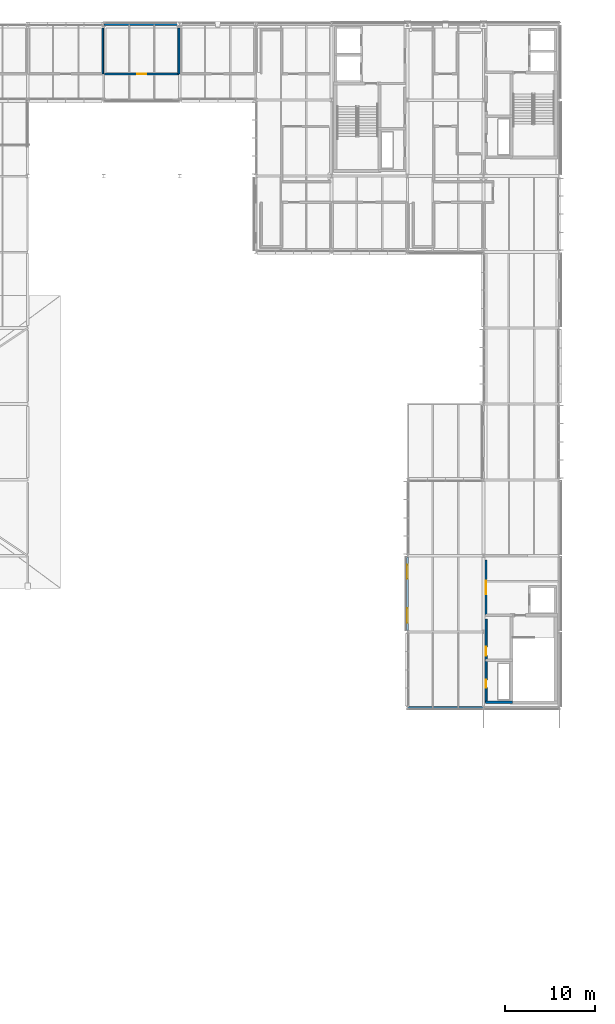
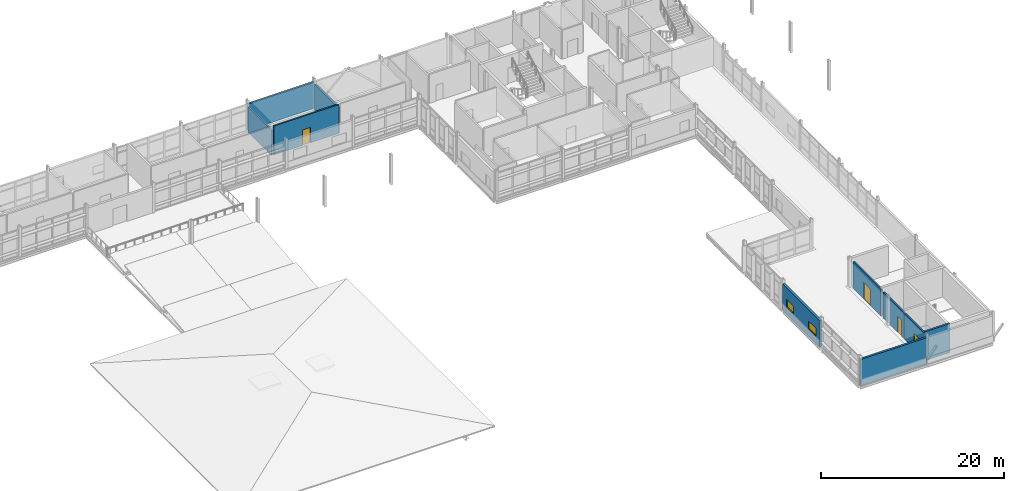
# One storey, part 53 of 66: 10 walls, 4 doors, 2 windows, 6 openings.
"""IFC4 building model written with IfcOpenShell, lengths in metres."""

import ifcopenshell
import ifcopenshell.guid

model = None  # the IFC model being written
_history = None  # IfcOwnerHistory: only IFC2X3 demands one
_inside = {}  # id of a spatial element -> (the spatial element, [elements in it])
_under = {}  # id of a project, library or spatial element -> (it, [spatial elements below it])
_declared = {}  # id of a project -> (the project, [libraries it declares])
_typed = {}  # id of a type object -> (the type object, [elements of that type])
_made_of = {}  # id of a material, layer set ... -> (it, [elements and type objects made of it])


def new_model(schema):
    """Start an empty IFC model of exactly this schema.

    Asked for "IFC4X3", IfcOpenShell would pick the latest addendum, in which some entities
    have other attributes; the version numbers below select the first issue.
    IFC2X3 requires an IfcOwnerHistory on every rooted entity: one is made here for all.
    """
    global model, _history
    if schema == "IFC4X3":
        model = ifcopenshell.file(schema_version=(4, 3, 0, 0))
    else:
        model = ifcopenshell.file(schema=schema)
    _inside.clear()
    _under.clear()
    _declared.clear()
    _typed.clear()
    _made_of.clear()
    _history = None
    if model.schema == "IFC2X3":
        org = make("IfcOrganization", Name="unknown")
        user = make(
            "IfcPersonAndOrganization",
            ThePerson=make("IfcPerson", FamilyName="unknown"),
            TheOrganization=org,
        )
        app = make(
            "IfcApplication",
            ApplicationDeveloper=org,
            Version="unknown",
            ApplicationFullName="unknown",
            ApplicationIdentifier="unknown",
        )
        _history = make(
            "IfcOwnerHistory",
            OwningUser=user,
            OwningApplication=app,
            ChangeAction="ADDED",
            CreationDate=0,
        )
    return model


def make(cls, **values):
    """One entity of the class cls with the attributes given. An attribute that is None is left unset."""
    return model.create_entity(
        cls, **{name: value for name, value in values.items() if value is not None}
    )


def rooted(cls, **values):
    """An entity with a GlobalId (a new one), such as an element, a storey or a relation."""
    return make(cls, GlobalId=ifcopenshell.guid.new(), OwnerHistory=_history, **values)


def si_unit(unit_type, name, prefix=None):
    """IfcSIUnit, for example si_unit("LENGTHUNIT", "METRE", prefix="MILLI")."""
    return make("IfcSIUnit", UnitType=unit_type, Prefix=prefix, Name=name)


def assignment(units):
    """IfcUnitAssignment: the units of a project."""
    return None if units is None else make("IfcUnitAssignment", Units=units)


def point(xyz):
    """IfcCartesianPoint."""
    return None if xyz is None else make("IfcCartesianPoint", Coordinates=xyz)


def direction(xyz):
    """IfcDirection."""
    return None if xyz is None else make("IfcDirection", DirectionRatios=xyz)


def frame(location, z_axis=None, x_axis=None):
    """IfcAxis2Placement3D, a coordinate frame: its origin and axes. An axis left out is left unset."""
    return make(
        "IfcAxis2Placement3D",
        Location=point(location),
        Axis=direction(z_axis),
        RefDirection=direction(x_axis),
    )


def frame_2d(location, x_axis=None):
    """IfcAxis2Placement2D, a coordinate frame in the plane: its origin and x axis."""
    return make(
        "IfcAxis2Placement2D", Location=point(location), RefDirection=direction(x_axis)
    )


def origin():
    """The frame at (0, 0, 0) with its axes left unset."""
    return frame((0.0, 0.0, 0.0))


def place(relative_to, where):
    """IfcLocalPlacement: puts the frame where relative to a parent placement (None: the world)."""
    return make(
        "IfcLocalPlacement", PlacementRelTo=relative_to, RelativePlacement=where
    )


def context(
    kind, dimensions, precision=None, world=None, true_north=None, identifier=None
):
    """IfcGeometricRepresentationContext, for example the 3D "Model" context."""
    return make(
        "IfcGeometricRepresentationContext",
        ContextIdentifier=identifier,
        ContextType=kind,
        CoordinateSpaceDimension=dimensions,
        Precision=precision,
        WorldCoordinateSystem=world,
        TrueNorth=true_north,
    )


def subcontext(parent, identifier, kind, view, scale=None):
    """IfcGeometricRepresentationSubContext, for example "Body" below "Model"."""
    return make(
        "IfcGeometricRepresentationSubContext",
        ContextIdentifier=identifier,
        ContextType=kind,
        ParentContext=parent,
        TargetScale=scale,
        TargetView=view,
    )


def project(units=None, contexts=None):
    """IfcProject with its units and contexts."""
    return rooted(
        "IfcProject",
        Name="project",
        RepresentationContexts=contexts,
        UnitsInContext=assignment(units),
    )


def spatial(cls, under=None, at=None, **own):
    """A site, building, storey or space (cls), placed at a placement, below another one or the project."""
    s = rooted(cls, ObjectPlacement=at, **own)
    if under is not None:
        _under.setdefault(under.id(), (under, []))[1].append(s)
    return s


def profile(cls, at=None, kind="AREA", **sizes):
    """A parametric profile (cls). Its sizes go by their IFC names, for example OverallWidth=200.0."""
    return make(cls, ProfileType=kind, Position=at, **sizes)


def rectangle(**sizes):
    """IfcRectangleProfileDef."""
    return profile("IfcRectangleProfileDef", **sizes)


def extrude(swept, where, along, depth):
    """IfcExtrudedAreaSolid: the profile swept, set in the frame where, extruded along a direction by depth."""
    return make(
        "IfcExtrudedAreaSolid",
        SweptArea=swept,
        Position=where,
        ExtrudedDirection=direction(along),
        Depth=depth,
    )


def shape(context_of_items, identifier, shape_type, items):
    """IfcShapeRepresentation: the items that make up one representation, for example the "Body"."""
    return make(
        "IfcShapeRepresentation",
        ContextOfItems=context_of_items,
        RepresentationIdentifier=identifier,
        RepresentationType=shape_type,
        Items=items,
    )


def material(Name=None, Category=None):
    """IfcMaterial."""
    return make("IfcMaterial", Name=Name, Category=Category)


def layer(
    of_material, thickness, ventilated=None, Name=None, Category=None, Priority=None
):
    """IfcMaterialLayer: one layer of a wall or slab, of a material (None: an air gap)."""
    return make(
        "IfcMaterialLayer",
        Material=of_material,
        LayerThickness=thickness,
        IsVentilated=ventilated,
        Name=Name,
        Category=Category,
        Priority=Priority,
    )


def layer_set(layers, Name=None):
    """IfcMaterialLayerSet."""
    return make("IfcMaterialLayerSet", MaterialLayers=layers, LayerSetName=Name)


def made_of(thing, what):
    """Note that an element or type object is made of a material, layer set ...; save() writes the relation."""
    if what is not None:
        _made_of.setdefault(what.id(), (what, []))[1].append(thing)
    return thing


def type_object(cls, material=None, **own):
    """A type object (cls), such as IfcWallType, which elements share."""
    return made_of(rooted(cls, **own), material)


def element(
    cls,
    number,
    at=None,
    inside=None,
    cuts=None,
    type_object=None,
    material=None,
    context=None,
    identifier="Body",
    shape_type=None,
    held_by="IfcProductDefinitionShape",
    body=None,
    shapes=None,
    **own,
):
    """One element of the class cls, such as IfcWall. Its Tag is "e" and its number.

    at: its placement. inside: the storey or other place that contains it. cuts: it is an
    opening in that element (IfcRelVoidsElement). A single representation is given by context,
    identifier, shape_type and body (its items); several are given by shapes. held_by: the class
    of the entity that holds the representations. save() writes the other relations.
    """
    e = rooted(cls, Tag="e%d" % number, ObjectPlacement=at, **own)
    if body is not None:
        shapes = [shape(context, identifier, shape_type, body)]
    if shapes is not None:
        e.Representation = make(held_by, Representations=shapes)
    if inside is not None:
        _inside.setdefault(inside.id(), (inside, []))[1].append(e)
    if cuts is not None:
        rooted(
            "IfcRelVoidsElement", RelatingBuildingElement=cuts, RelatedOpeningElement=e
        )
    if type_object is not None:
        _typed.setdefault(type_object.id(), (type_object, []))[1].append(e)
    return made_of(e, material)


def fill(opening, filler):
    """IfcRelFillsElement: the door or window that sits in an opening."""
    return rooted(
        "IfcRelFillsElement",
        RelatingOpeningElement=opening,
        RelatedBuildingElement=filler,
    )


def aggregate(whole, parts):
    """IfcRelAggregates: a whole, such as a stair, and the parts it consists of."""
    return rooted("IfcRelAggregates", RelatingObject=whole, RelatedObjects=parts)


def save(model, path):
    """Write the relations noted so far, then the file.

    IfcRelAggregates (storeys below a building ...), IfcRelContainedInSpatialStructure (elements
    in a storey), IfcRelDefinesByType, IfcRelAssociatesMaterial and IfcRelDeclares: one each for
    every whole, place, type object, material and project.
    """
    for whole, parts in _under.values():
        aggregate(whole, parts)
    for where, things in _inside.values():
        rooted(
            "IfcRelContainedInSpatialStructure",
            RelatedElements=things,
            RelatingStructure=where,
        )
    for kind, things in _typed.values():
        rooted("IfcRelDefinesByType", RelatedObjects=things, RelatingType=kind)
    for what, things in _made_of.values():
        rooted("IfcRelAssociatesMaterial", RelatedObjects=things, RelatingMaterial=what)
    for by, libraries in _declared.values():
        rooted("IfcRelDeclares", RelatingContext=by, RelatedDefinitions=libraries)
    model.write(path)


model = new_model("IFC4")

# Units and contexts
model_context = context("Model", 3, precision=1e-05, world=origin(), true_north=direction((0.0, 1.0)))
body_context = subcontext(model_context, "Body", "Model", "MODEL_VIEW")
ifc_project = project(units=[si_unit("LENGTHUNIT", "METRE"), si_unit("AREAUNIT", "SQUARE_METRE"), si_unit("VOLUMEUNIT", "CUBIC_METRE"), si_unit("PLANEANGLEUNIT", "RADIAN"), si_unit("MASSUNIT", "GRAM", prefix="KILO")], contexts=[model_context])

# Site, building, storey
site_placement = place(None, origin())
site = spatial("IfcSite", under=ifc_project, at=site_placement, CompositionType="ELEMENT")
building_placement = place(site_placement, origin())
building = spatial("IfcBuilding", under=site, at=building_placement, Name="Mersafa Astral City Hall", CompositionType="ELEMENT")
storey_placement = place(building_placement, frame((0.0, 0.0, 22.050048828125)))
storey = spatial("IfcBuildingStorey", under=building, at=storey_placement, Name="L05", CompositionType="ELEMENT", Elevation=22.050048828125)

# Walls
ifc_material_1 = material(Name="Precast concrete C40/50 insulated terracotta spandrel", Category="masonry")
ifc_layer_1 = layer(ifc_material_1, 0.235107421875, Name="Precast concrete C40/50 insulated terracotta spandrel")
ifc_layer_set_1 = layer_set([ifc_layer_1], Name="Precast concrete C40/50 insulated terracotta spandrel — ENV-WAL-EXT-235")
wall_type_1 = type_object("IfcWallType", Name="ENV-WAL-EXT-235", PredefinedType="STANDARD", material=ifc_layer_set_1)
wall_1_placement = place(storey_placement, frame((134.39208984375, 126.0, 0.0), z_axis=(0.0, 0.0, 1.0), x_axis=(-1.0, 0.0, 0.0)))
element("IfcWall", 1, at=wall_1_placement, inside=storey, type_object=wall_type_1, Name="L05 Limestone-clad exterior wall 347", PredefinedType="STANDARD", context=body_context, shape_type="SweptSolid", body=[
    extrude(rectangle(XDim=8.384033203125, YDim=0.235107421875, at=frame_2d((4.19189453125, 0.0))), origin(), (0.0, 0.0, 1.0), 3.4970703125),
])
ifc_layer_2 = layer(ifc_material_1, 0.25, Name="Precast concrete C40/50 insulated terracotta spandrel")
ifc_layer_set_2 = layer_set([ifc_layer_2], Name="Precast concrete C40/50 insulated terracotta spandrel — ENV-WAL-EXT-250")
wall_type_2 = type_object("IfcWallType", Name="ENV-WAL-EXT-250", PredefinedType="STANDARD", material=ifc_layer_set_2)
wall_2_placement = place(storey_placement, frame((159.60791015625, 50.39990234375, 0.0), z_axis=(0.0, 0.0, 1.0), x_axis=(1.0, 0.0, 0.0)))
element("IfcWall", 2, at=wall_2_placement, inside=storey, type_object=wall_type_2, Name="L05 Limestone-clad exterior wall 334", PredefinedType="STANDARD", context=body_context, shape_type="SweptSolid", body=[
    extrude(rectangle(XDim=8.384033203125, YDim=0.25, at=frame_2d((4.19189453125, 0.0))), origin(), (0.0, 0.0, 1.0), 3.501953125),
])

# Wall, openings, windows
ifc_material_2 = material(Name="Precast concrete C40/50 insulated limestone wall", Category="masonry")
ifc_layer_3 = layer(ifc_material_2, 0.264892578125, Name="Precast concrete C40/50 insulated limestone wall")
ifc_layer_set_3 = layer_set([ifc_layer_3], Name="Precast concrete C40/50 insulated limestone wall — ENV-WAL-EXT-265")
wall_type_3 = type_object("IfcWallType", Name="ENV-WAL-EXT-265", PredefinedType="STANDARD", material=ifc_layer_set_3)
wall_3_placement = place(storey_placement, frame((159.60009765625, 67.053955078125, 0.0), z_axis=(0.0, 0.0, 1.0), x_axis=(0.0, -1.0, 0.0)))
wall_3 = element("IfcWall", 3, at=wall_3_placement, inside=storey, type_object=wall_type_3, Name="L05 Limestone-clad exterior wall 333", PredefinedType="STANDARD", context=body_context, shape_type="SweptSolid", body=[
    extrude(rectangle(XDim=8.10791015625, YDim=0.264892578125, at=frame_2d((4.053955078125, 0.0))), origin(), (0.0, 0.0, 1.0), 3.471923828125),
])
opening_1_placement = place(wall_3_placement, frame((0.85009765625, 0.0, 0.89990234375)))
opening_1 = element("IfcOpeningElement", 4, at=opening_1_placement, cuts=wall_3, Name="Opening W-06", PredefinedType="OPENING", context=body_context, shape_type="SweptSolid", body=[
    extrude(rectangle(XDim=1.52001953125, YDim=1.050048828125, at=frame_2d((0.760009765625, 0.52490234375))), frame((0.0, 0.142333984375, 0.0), z_axis=(0.0, -1.0, 0.0), x_axis=(1.0, 0.0, 0.0)), (0.0, 0.0, 1.0), 0.284912109375),
])
opening_2_placement = place(wall_3_placement, frame((5.637939453125, 0.0, 0.89990234375)))
opening_2 = element("IfcOpeningElement", 5, at=opening_2_placement, cuts=wall_3, Name="Opening W-07", PredefinedType="OPENING", context=body_context, shape_type="SweptSolid", body=[
    extrude(rectangle(XDim=1.6201171875, YDim=1.050048828125, at=frame_2d((0.81005859375, 0.52490234375))), frame((0.0, 0.142333984375, 0.0), z_axis=(0.0, -1.0, 0.0), x_axis=(1.0, 0.0, 0.0)), (0.0, 0.0, 1.0), 0.284912109375),
])
ifc_material_3 = material(Name="Solar control low-e double glazing in bronze frame", Category="glass")
window_type_1 = type_object("IfcWindowType", Name="ENV-WIN-W-06", PartitioningType="SINGLE_PANEL", PredefinedType="WINDOW", material=ifc_material_3)
window_1_placement = place(opening_1_placement, origin())
window_1 = element("IfcWindow", 6, at=window_1_placement, inside=storey, type_object=window_type_1, Name="L05 Solar punched window 333-L", OverallHeight=1.050048828125, OverallWidth=1.52001953125, PartitioningType="SINGLE_PANEL", PredefinedType="WINDOW", context=body_context, shape_type="SweptSolid", body=[
    extrude(rectangle(XDim=1.52001953125, YDim=1.050048828125, at=frame_2d((0.760009765625, 0.52490234375))), frame((0.0, 0.030029296875, 0.0), z_axis=(0.0, -1.0, 0.0), x_axis=(1.0, 0.0, 0.0)), (0.0, 0.0, 1.0), 0.06005859375),
])
fill(opening_1, window_1)
window_type_2 = type_object("IfcWindowType", Name="ENV-WIN-W-07", PartitioningType="SINGLE_PANEL", PredefinedType="WINDOW", material=ifc_material_3)
window_2_placement = place(opening_2_placement, origin())
window_2 = element("IfcWindow", 7, at=window_2_placement, inside=storey, type_object=window_type_2, Name="L05 Solar punched window 333-R", OverallHeight=1.050048828125, OverallWidth=1.6201171875, PartitioningType="SINGLE_PANEL", PredefinedType="WINDOW", context=body_context, shape_type="SweptSolid", body=[
    extrude(rectangle(XDim=1.6201171875, YDim=1.050048828125, at=frame_2d((0.81005859375, 0.52490234375))), frame((0.0, 0.030029296875, 0.0), z_axis=(0.0, -1.0, 0.0), x_axis=(1.0, 0.0, 0.0)), (0.0, 0.0, 1.0), 0.06005859375),
])
fill(opening_2, window_2)

# Walls
ifc_material_4 = material(Name="Concrete C40/50", Category="concrete")
ifc_layer_4 = layer(ifc_material_4, 0.260009765625, Name="Concrete C40/50")
ifc_layer_set_4 = layer_set([ifc_layer_4], Name="Concrete C40/50 — INT-WAL-CORE-260")
wall_type_4 = type_object("IfcWallType", Name="INT-WAL-CORE-260", PredefinedType="SHEAR", material=ifc_layer_set_4)
wall_4_placement = place(storey_placement, frame((168.199951171875, 51.02001953125, 0.0), z_axis=(0.0, 0.0, 1.0), x_axis=(1.0, 0.0, 0.0)))
element("IfcWall", 8, at=wall_4_placement, inside=storey, type_object=wall_type_4, Name="L05 Core K4 riser south wall", PredefinedType="SHEAR", context=body_context, shape_type="SweptSolid", body=[
    extrude(rectangle(XDim=3.03515625, YDim=0.260009765625, at=frame_2d((1.517578125, 0.0))), origin(), (0.0, 0.0, 1.0), 3.849853515625),
])
ifc_material_5 = material(Name="Acoustic twin-stud gypsum partition", Category="gypsum")
ifc_layer_5 = layer(ifc_material_5, 0.179931640625, Name="Acoustic twin-stud gypsum partition")
ifc_layer_set_5 = layer_set([ifc_layer_5], Name="Acoustic twin-stud gypsum partition — INT-WAL-PART-EI60-180")
wall_type_5 = type_object("IfcWallType", Name="INT-WAL-PART-EI60-180", PredefinedType="STANDARD", material=ifc_layer_set_5)
wall_5_placement = place(storey_placement, frame((125.909912109375, 125.580078125, -0.004150390625), z_axis=(0.0, 0.0, 1.0), x_axis=(0.0, -1.0, 0.0)))
element("IfcWall", 9, at=wall_5_placement, inside=storey, type_object=wall_type_5, Name="L05 Interior partition wall 754", PredefinedType="STANDARD", context=body_context, shape_type="SweptSolid", body=[
    extrude(rectangle(XDim=5.080078125, YDim=0.179931640625, at=frame_2d((2.5400390625, 0.0))), origin(), (0.0, 0.0, 1.0), 3.37109375),
])

# Wall, opening, door
ifc_layer_6 = layer(ifc_material_5, 0.195068359375, Name="Acoustic twin-stud gypsum partition")
ifc_layer_set_6 = layer_set([ifc_layer_6], Name="Acoustic twin-stud gypsum partition — INT-WAL-PART-EI60-195")
wall_type_6 = type_object("IfcWallType", Name="INT-WAL-PART-EI60-195", PredefinedType="STANDARD", material=ifc_layer_set_6)
wall_6_placement = place(storey_placement, frame((134.31005859375, 120.5, -0.004150390625), z_axis=(0.0, 0.0, 1.0), x_axis=(-1.0, 0.0, 0.0)))
wall_6 = element("IfcWall", 10, at=wall_6_placement, inside=storey, type_object=wall_type_6, Name="L05 Interior partition wall 757", PredefinedType="STANDARD", context=body_context, shape_type="SweptSolid", body=[
    extrude(rectangle(XDim=8.219970703125, YDim=0.195068359375, at=frame_2d((4.10986328125, 0.0))), origin(), (0.0, 0.0, 1.0), 3.85400390625),
])
opening_3_placement = place(wall_6_placement, frame((3.590087890625, 0.0, 0.0)))
opening_3 = element("IfcOpeningElement", 11, at=opening_3_placement, cuts=wall_6, Name="Opening D-03", PredefinedType="OPENING", context=body_context, shape_type="SweptSolid", body=[
    extrude(rectangle(XDim=1.0400390625, YDim=2.06005859375, at=frame_2d((0.52001953125, 1.030029296875))), frame((0.0, 0.107421875, 0.0), z_axis=(0.0, -1.0, 0.0), x_axis=(1.0, 0.0, 0.0)), (0.0, 0.0, 1.0), 0.215087890625),
])
ifc_material_6 = material(Name="Cedar veneered acoustic fire-rated timber door", Category="wood")
door_type_1 = type_object("IfcDoorType", Name="INT-DR-RM-D-03", OperationType="NOTDEFINED", PredefinedType="DOOR", material=ifc_material_6)
door_1_placement = place(opening_3_placement, origin())
door_1 = element("IfcDoor", 12, at=door_1_placement, inside=storey, type_object=door_type_1, Name="L05 Executive Secretariat Office L05-08 Entrance Door", OperationType="SINGLE_SWING_LEFT", OverallHeight=2.06005859375, OverallWidth=1.0400390625, PredefinedType="DOOR", context=body_context, shape_type="SweptSolid", body=[
    extrude(rectangle(XDim=1.0400390625, YDim=2.06005859375, at=frame_2d((0.52001953125, 1.030029296875))), frame((0.0, 0.02490234375, 0.0), z_axis=(0.0, -1.0, 0.0), x_axis=(1.0, 0.0, 0.0)), (0.0, 0.0, 1.0), 0.050048828125),
])
fill(opening_3, door_1)

ifc_material_7 = material(Name="Autoclaved aerated concrete blockwork plastered", Category="masonry")
ifc_layer_7 = layer(ifc_material_7, 0.2099609375, Name="Autoclaved aerated concrete blockwork plastered")
ifc_layer_set_7 = layer_set([ifc_layer_7], Name="Autoclaved aerated concrete blockwork plastered — INT-WAL-PART-EI60-210")
wall_type_7 = type_object("IfcWallType", Name="INT-WAL-PART-EI60-210", PredefinedType="STANDARD", material=ifc_layer_set_7)
wall_7_placement = place(storey_placement, frame((168.300048828125, 51.02001953125, 0.0), z_axis=(0.0, 0.0, 1.0), x_axis=(0.0, 1.0, 0.0)))
wall_7 = element("IfcWall", 13, at=wall_7_placement, inside=storey, type_object=wall_type_7, Name="L05 Core K4 riser corridor partition", PredefinedType="STANDARD", context=body_context, shape_type="SweptSolid", body=[
    extrude(rectangle(XDim=4.590087890625, YDim=0.2099609375, at=frame_2d((2.294921875, 0.0))), origin(), (0.0, 0.0, 1.0), 3.471923828125),
])
opening_4_placement = place(wall_7_placement, frame((1.60009765625, 0.0, 0.0)))
opening_4 = element("IfcOpeningElement", 14, at=opening_4_placement, cuts=wall_7, Name="Opening CD-5", PredefinedType="OPENING", context=body_context, shape_type="SweptSolid", body=[
    extrude(rectangle(XDim=0.89990234375, YDim=2.10009765625, at=frame_2d((0.449951171875, 1.050048828125))), frame((0.0, 0.114990234375, 0.0), z_axis=(0.0, -1.0, 0.0), x_axis=(1.0, 0.0, 0.0)), (0.0, 0.0, 1.0), 0.22998046875),
])
ifc_material_8 = material(Name="Fire-rated steel riser access door", Category="steel")
door_type_2 = type_object("IfcDoorType", Name="INT-DR-RISER-FD60-900", OperationType="NOTDEFINED", PredefinedType="DOOR", material=ifc_material_8)
door_2_placement = place(opening_4_placement, origin())
door_2 = element("IfcDoor", 15, at=door_2_placement, inside=storey, type_object=door_type_2, Name="L05 K4 MEP Riser Access Door", OperationType="SINGLE_SWING_LEFT", OverallHeight=2.10009765625, OverallWidth=0.89990234375, PredefinedType="DOOR", context=body_context, shape_type="SweptSolid", body=[
    extrude(rectangle(XDim=0.89990234375, YDim=2.10009765625, at=frame_2d((0.449951171875, 1.050048828125))), frame((0.0, 0.02490234375, 0.0), z_axis=(0.0, -1.0, 0.0), x_axis=(1.0, 0.0, 0.0)), (0.0, 0.0, 1.0), 0.050048828125),
])
fill(opening_4, door_2)

wall_8_placement = place(storey_placement, frame((168.300048828125, 55.719970703125, 0.0), z_axis=(0.0, 0.0, 1.0), x_axis=(0.0, 1.0, 0.0)))
wall_8 = element("IfcWall", 16, at=wall_8_placement, inside=storey, type_object=wall_type_7, Name="L05 Core K4 accessible WC corridor partition", PredefinedType="STANDARD", context=body_context, shape_type="SweptSolid", body=[
    extrude(rectangle(XDim=4.47998046875, YDim=0.2099609375, at=frame_2d((2.239990234375, 0.0))), origin(), (0.0, 0.0, 1.0), 3.471923828125),
])
opening_5_placement = place(wall_8_placement, frame((0.449951171875, 0.0, 0.0)))
opening_5 = element("IfcOpeningElement", 17, at=opening_5_placement, cuts=wall_8, Name="Opening CD-4", PredefinedType="OPENING", context=body_context, shape_type="SweptSolid", body=[
    extrude(rectangle(XDim=0.949951171875, YDim=2.14990234375, at=frame_2d((0.47509765625, 1.074951171875))), frame((0.0, 0.114990234375, 0.0), z_axis=(0.0, -1.0, 0.0), x_axis=(1.0, 0.0, 0.0)), (0.0, 0.0, 1.0), 0.22998046875),
])
ifc_material_9 = material(Name="Accessible timber acoustic WC door", Category="wood")
door_type_3 = type_object("IfcDoorType", Name="INT-DR-WC-FD30-950", OperationType="NOTDEFINED", PredefinedType="DOOR", material=ifc_material_9)
door_3_placement = place(opening_5_placement, origin())
door_3 = element("IfcDoor", 18, at=door_3_placement, inside=storey, type_object=door_type_3, Name="L05 K4 Accessible Restroom Door", OperationType="SINGLE_SWING_RIGHT", OverallHeight=2.14990234375, OverallWidth=0.949951171875, PredefinedType="DOOR", context=body_context, shape_type="SweptSolid", body=[
    extrude(rectangle(XDim=0.949951171875, YDim=2.14990234375, at=frame_2d((0.47509765625, 1.074951171875))), frame((0.0, 0.02490234375, 0.0), z_axis=(0.0, -1.0, 0.0), x_axis=(1.0, 0.0, 0.0)), (0.0, 0.0, 1.0), 0.050048828125),
])
fill(opening_5, door_3)

wall_9_placement = place(storey_placement, frame((168.300048828125, 60.639892578125, 0.0), z_axis=(0.0, 0.0, 1.0), x_axis=(0.0, 1.0, 0.0)))
wall_9 = element("IfcWall", 19, at=wall_9_placement, inside=storey, type_object=wall_type_7, Name="L05 Core K4 lobby corridor partition", PredefinedType="STANDARD", context=body_context, shape_type="SweptSolid", body=[
    extrude(rectangle(XDim=6.1201171875, YDim=0.2099609375, at=frame_2d((3.06005859375, 0.0))), origin(), (0.0, 0.0, 1.0), 3.56201171875),
])
opening_6_placement = place(wall_9_placement, frame((2.31005859375, 0.0, 0.0)))
opening_6 = element("IfcOpeningElement", 20, at=opening_6_placement, cuts=wall_9, Name="Opening CD-3", PredefinedType="OPENING", context=body_context, shape_type="SweptSolid", body=[
    extrude(rectangle(XDim=1.5, YDim=2.199951171875, at=frame_2d((0.75, 1.10009765625))), frame((0.0, 0.114990234375, 0.0), z_axis=(0.0, -1.0, 0.0), x_axis=(1.0, 0.0, 0.0)), (0.0, 0.0, 1.0), 0.22998046875),
])
ifc_material_10 = material(Name="Fire-rated glazed lobby door pair", Category="metal")
door_type_4 = type_object("IfcDoorType", Name="INT-DR-LOBBY-FD90-1500", OperationType="NOTDEFINED", PredefinedType="DOOR", material=ifc_material_10)
door_4_placement = place(opening_6_placement, origin())
door_4 = element("IfcDoor", 21, at=door_4_placement, inside=storey, type_object=door_type_4, Name="L05 K4 Lift Lobby Fire Door", OperationType="DOUBLE_DOOR_SINGLE_SWING", OverallHeight=2.199951171875, OverallWidth=1.5, PredefinedType="DOOR", context=body_context, shape_type="SweptSolid", body=[
    extrude(rectangle(XDim=1.5, YDim=2.199951171875, at=frame_2d((0.75, 1.10009765625))), frame((0.0, 0.02490234375, 0.0), z_axis=(0.0, -1.0, 0.0), x_axis=(1.0, 0.0, 0.0)), (0.0, 0.0, 1.0), 0.050048828125),
])
fill(opening_6, door_4)

# Wall
wall_10_placement = place(storey_placement, frame((134.31005859375, 125.580078125, -0.004150390625), z_axis=(0.0, 0.0, 1.0), x_axis=(0.0, -1.0, 0.0)))
element("IfcWall", 22, at=wall_10_placement, inside=storey, type_object=wall_type_7, Name="L05 Interior partition wall 756", PredefinedType="STANDARD", context=body_context, shape_type="SweptSolid", body=[
    extrude(rectangle(XDim=5.080078125, YDim=0.2099609375, at=frame_2d((2.5400390625, 0.0))), origin(), (0.0, 0.0, 1.0), 3.461181640625),
])

save(model, "model.ifc")
